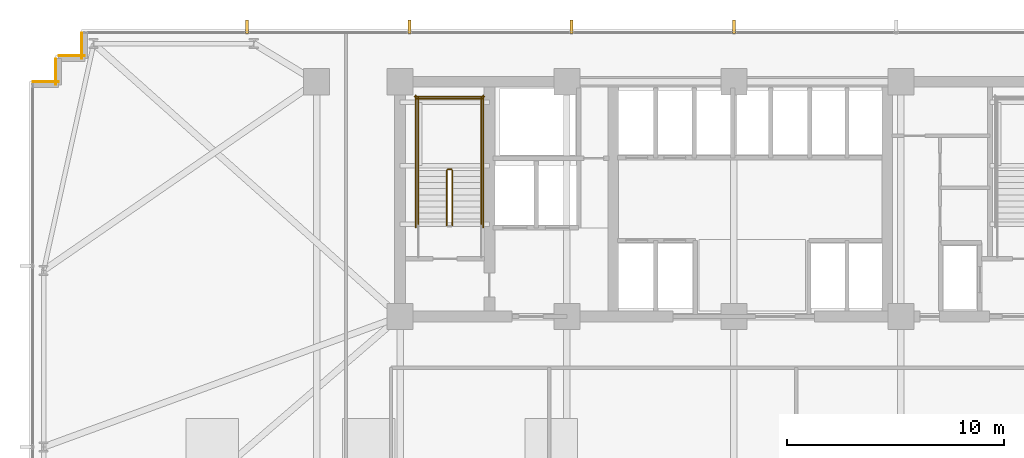
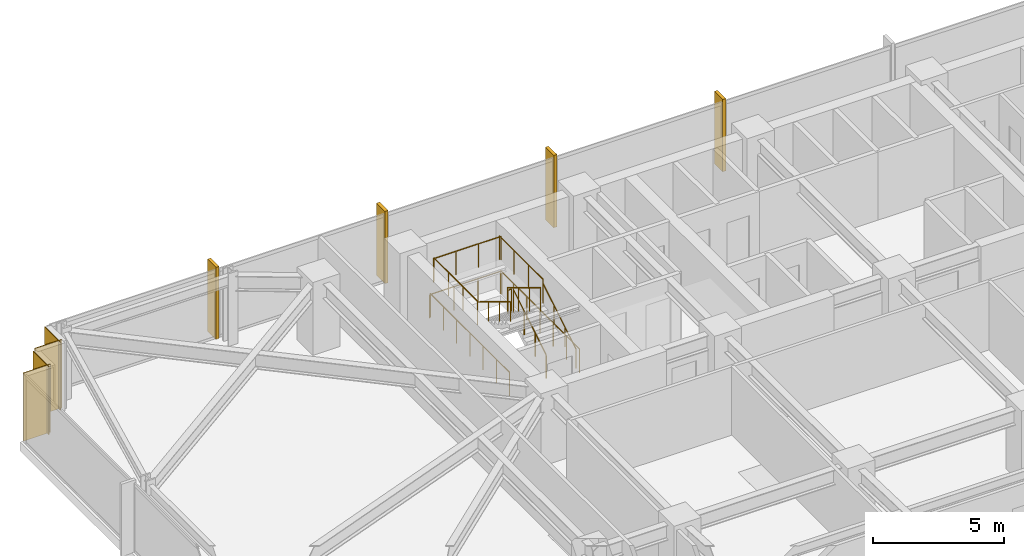
# One storey, part 29 of 31: 11 railings, 4 coverings, 4 shading devices.
"""IFC4 building model written with IfcOpenShell, lengths in metres."""

from ifc_helpers import new_model, si_unit, direction, frame, frame_2d, origin, origin_2d, place, context, subcontext, project, spatial, rectangle, circle, extrude, material, layer, layer_set, type_object, element, save


model = new_model("IFC4")

# Units and contexts
model_context = context("Model", 3, precision=1e-05, world=origin(), true_north=direction((0.0, 1.0)))
body_context = subcontext(model_context, "Body", "Model", "MODEL_VIEW")
ifc_project = project(units=[si_unit("LENGTHUNIT", "METRE"), si_unit("AREAUNIT", "SQUARE_METRE"), si_unit("VOLUMEUNIT", "CUBIC_METRE"), si_unit("PLANEANGLEUNIT", "RADIAN"), si_unit("MASSUNIT", "GRAM", prefix="KILO")], contexts=[model_context])

# Site, building, storey
site_placement = place(None, origin())
site = spatial("IfcSite", under=ifc_project, at=site_placement, CompositionType="ELEMENT")
building_placement = place(site_placement, origin())
building = spatial("IfcBuilding", under=site, at=building_placement, Name="Yelkora Congress Tower", CompositionType="ELEMENT")
storey_placement = place(building_placement, frame((0.0, 0.0, 30.39990234375)))
storey = spatial("IfcBuildingStorey", under=building, at=storey_placement, Name="L06", CompositionType="ELEMENT", Elevation=30.39990234375)

# Coverings
ifc_material_1 = material(Name="Anatolian bush-hammered limestone", Category="masonry")
ifc_layer_1 = layer(ifc_material_1, 0.0400390625)
ifc_layer_set_1 = layer_set([ifc_layer_1], Name="Anatolian bush-hammered limestone")
covering_type = type_object("IfcCoveringType", Name="COV-CLAD-SPANDREL-40", PredefinedType="CLADDING", material=ifc_layer_set_1)
covering_placement = place(storey_placement, frame((6.139892578125, 46.195068359375, 0.0), z_axis=(0.0, 0.0, 1.0), x_axis=(1.0, 0.0, 0.0)))
element("IfcCovering", 1, at=covering_placement, inside=storey, type_object=covering_type, Name="L06 Anatolian Limestone Cladding EW-L06-SR06", PredefinedType="CLADDING", context=body_context, shape_type="SweptSolid", body=[
    extrude(rectangle(XDim=1.2001953125, YDim=0.0400390625, at=frame_2d((0.60009765625, 0.0))), origin(), (0.0, 0.0, 1.0), 3.18017578125),
])
for number, where, z_axis, x_axis, name in (
    (2, (7.205078125, 46.06005859375, 0.0), (0.0, 0.0, 1.0), (0.0, 1.0, 0.0), "L06 Anatolian Limestone Cladding EW-L06-SR07"),
    (3, (7.340087890625, 47.39501953125, 0.0), (0.0, 0.0, 1.0), (1.0, 0.0, 0.0), "L06 Anatolian Limestone Cladding EW-L06-SR08"),
    (4, (8.405029296875, 47.260009765625, 0.0), (0.0, 0.0, 1.0), (0.0, 1.0, 0.0), "L06 Anatolian Limestone Cladding EW-L06-SR09"),
):
    element("IfcCovering", number, at=place(storey_placement, frame(where, z_axis=z_axis, x_axis=x_axis)), inside=storey, type_object=covering_type, Name=name, PredefinedType="CLADDING", context=body_context, shape_type="SweptSolid", body=[
        extrude(rectangle(XDim=1.199951171875, YDim=0.0400390625, at=frame_2d((0.60009765625, 0.0))), origin(), (0.0, 0.0, 1.0), 3.18017578125),
    ])

# Railings
ifc_material_2 = material(Name="Painted galvanised steel stair well guard with vertical infill", Category="steel")
ifc_layer_2 = layer(ifc_material_2, 0.06005859375)
ifc_layer_set_2 = layer_set([ifc_layer_2], Name="Painted galvanised steel stair well guard with vertical infill")
railing_type_1 = type_object("IfcRailingType", Name="RAIL-STAIR-GUARD-1120", PredefinedType="GUARDRAIL", material=ifc_layer_set_2)
railing_1_placement = place(storey_placement, frame((25.449951171875, 39.60009765625, 0.170166015625)))
element("IfcRailing", 5, at=railing_1_placement, inside=storey, type_object=railing_type_1, Name="ST-01 L06 Stair Well Guardrail 1", PredefinedType="GUARDRAIL", context=body_context, shape_type="SweptSolid", body=[
    extrude(circle(Radius=0.02392578125, at=origin_2d()), frame((0.0, 0.0, 1.09619140625), z_axis=(0.0, 0.85478489116, 0.518982456201), x_axis=(-1.0, 0.0, 0.0)), (0.0, 0.0, 1.0), 2.9482421875),
    extrude(circle(Radius=0.02099609375, at=origin_2d()), origin(), (0.0, 0.0, 1.0), 1.072021484375),
    extrude(circle(Radius=0.02099609375, at=origin_2d()), frame((0.0, 0.840087890625, 0.510009765625)), (0.0, 0.0, 1.0), 1.072021484375),
    extrude(circle(Radius=0.02099609375, at=origin_2d()), frame((0.0, 1.679931640625, 1.02001953125)), (0.0, 0.0, 1.0), 1.072021484375),
    extrude(circle(Radius=0.02099609375, at=origin_2d()), frame((0.0, 2.52001953125, 1.530029296875)), (0.0, 0.0, 1.0), 1.072021484375),
])
railing_2_placement = place(storey_placement, frame((25.39990234375, 42.169921875, 1.7001953125)))
element("IfcRailing", 6, at=railing_2_placement, inside=storey, type_object=railing_type_1, Name="ST-01 L06 Stair Well Guardrail 2", PredefinedType="GUARDRAIL", context=body_context, shape_type="SweptSolid", body=[
    extrude(circle(Radius=0.02392578125, at=origin_2d()), frame((0.0, 0.0, 1.09619140625), z_axis=(-1.0, 0.0, 0.0), x_axis=(0.0, -1.0, 0.0)), (0.0, 0.0, 1.0), 0.159912109375),
    extrude(circle(Radius=0.02099609375, at=origin_2d()), origin(), (0.0, 0.0, 1.0), 1.072021484375),
    extrude(circle(Radius=0.02099609375, at=origin_2d()), frame((-0.159912109375, 0.0, 0.0)), (0.0, 0.0, 1.0), 1.072021484375),
])
for number, where, name in (
    (7, (26.77001953125, 42.1201171875, 1.7001953125), "ST-01 L06 Stair Well Guardrail 3"),
    (8, (23.8701171875, 42.1201171875, 1.7001953125), "ST-01 L06 Stair Well Guardrail 4"),
):
    element("IfcRailing", number, at=place(storey_placement, frame(where)), inside=storey, type_object=railing_type_1, Name=name, PredefinedType="GUARDRAIL", context=body_context, shape_type="SweptSolid", body=[
        extrude(circle(Radius=0.02392578125, at=origin_2d()), frame((0.0, 0.0, 1.09619140625), z_axis=(0.0, 1.0, 0.0), x_axis=(-1.0, 0.0, 0.0)), (0.0, 0.0, 1.0), 3.349853515625),
        extrude(circle(Radius=0.02099609375, at=origin_2d()), origin(), (0.0, 0.0, 1.0), 1.072021484375),
        extrude(circle(Radius=0.02099609375, at=origin_2d()), frame((0.0, 1.11669921875, 0.0)), (0.0, 0.0, 1.0), 1.072021484375),
        extrude(circle(Radius=0.02099609375, at=origin_2d()), frame((0.0, 2.233154296875, 0.0)), (0.0, 0.0, 1.0), 1.072021484375),
        extrude(circle(Radius=0.02099609375, at=origin_2d()), frame((0.0, 3.349853515625, 0.0)), (0.0, 0.0, 1.0), 1.072021484375),
    ])
railing_3_placement = place(storey_placement, frame((26.820068359375, 45.419921875, 1.7001953125)))
element("IfcRailing", 9, at=railing_3_placement, inside=storey, type_object=railing_type_1, Name="ST-01 L06 Stair Well Guardrail 5", PredefinedType="GUARDRAIL", context=body_context, shape_type="SweptSolid", body=[
    extrude(circle(Radius=0.02392578125, at=origin_2d()), frame((0.0, 0.0, 1.09619140625), z_axis=(-1.0, 0.0, 0.0), x_axis=(0.0, -1.0, 0.0)), (0.0, 0.0, 1.0), 3.0),
    extrude(circle(Radius=0.02099609375, at=origin_2d()), origin(), (0.0, 0.0, 1.0), 1.072021484375),
    extrude(circle(Radius=0.02099609375, at=origin_2d()), frame((-1.0, 0.0, 0.0)), (0.0, 0.0, 1.0), 1.072021484375),
    extrude(circle(Radius=0.02099609375, at=origin_2d()), frame((-2.0, 0.0, 0.0)), (0.0, 0.0, 1.0), 1.072021484375),
    extrude(circle(Radius=0.02099609375, at=origin_2d()), frame((-3.0, 0.0, 0.0)), (0.0, 0.0, 1.0), 1.072021484375),
])
railing_4_placement = place(storey_placement, frame((25.18994140625, 42.1201171875, 1.8701171875)))
element("IfcRailing", 10, at=railing_4_placement, inside=storey, type_object=railing_type_1, Name="ST-01 L06 Stair Well Guardrail 6", PredefinedType="GUARDRAIL", context=body_context, shape_type="SweptSolid", body=[
    extrude(circle(Radius=0.02392578125, at=origin_2d()), frame((0.0, 0.0, 1.09619140625), z_axis=(0.0, -0.85478489116, 0.518982456201), x_axis=(1.0, 0.0, 0.0)), (0.0, 0.0, 1.0), 2.9482421875),
    extrude(circle(Radius=0.02099609375, at=origin_2d()), origin(), (0.0, 0.0, 1.0), 1.072021484375),
    extrude(circle(Radius=0.02099609375, at=origin_2d()), frame((0.0, -0.840087890625, 0.510009765625)), (0.0, 0.0, 1.0), 1.072021484375),
    extrude(circle(Radius=0.02099609375, at=origin_2d()), frame((0.0, -1.679931640625, 1.02001953125)), (0.0, 0.0, 1.0), 1.072021484375),
    extrude(circle(Radius=0.02099609375, at=origin_2d()), frame((0.0, -2.52001953125, 1.530029296875)), (0.0, 0.0, 1.0), 1.072021484375),
])
for number, where, name in (
    (11, (26.8701171875, 39.5, 0.0), "ST-01 L06 Stair Well Guardrail 10"),
    (12, (23.77001953125, 39.5, 0.0), "ST-01 L06 Stair Well Guardrail 11"),
):
    element("IfcRailing", number, at=place(storey_placement, frame(where)), inside=storey, type_object=railing_type_1, Name=name, PredefinedType="GUARDRAIL", context=body_context, shape_type="SweptSolid", body=[
        extrude(circle(Radius=0.02392578125, at=origin_2d()), frame((0.0, 0.0, 1.09619140625), z_axis=(0.0, 1.0, 0.0), x_axis=(-1.0, 0.0, 0.0)), (0.0, 0.0, 1.0), 6.070068359375),
        extrude(circle(Radius=0.02099609375, at=origin_2d()), origin(), (0.0, 0.0, 1.0), 1.072021484375),
        extrude(circle(Radius=0.02099609375, at=origin_2d()), frame((0.0, 1.01171875, 0.0)), (0.0, 0.0, 1.0), 1.072021484375),
        extrude(circle(Radius=0.02099609375, at=origin_2d()), frame((0.0, 2.0234375, 0.0)), (0.0, 0.0, 1.0), 1.072021484375),
        extrude(circle(Radius=0.02099609375, at=origin_2d()), frame((0.0, 3.03515625, 0.0)), (0.0, 0.0, 1.0), 1.072021484375),
        extrude(circle(Radius=0.02099609375, at=origin_2d()), frame((0.0, 4.046630859375, 0.0)), (0.0, 0.0, 1.0), 1.072021484375),
        extrude(circle(Radius=0.02099609375, at=origin_2d()), frame((0.0, 5.058349609375, 0.0)), (0.0, 0.0, 1.0), 1.072021484375),
        extrude(circle(Radius=0.02099609375, at=origin_2d()), frame((0.0, 6.070068359375, 0.0)), (0.0, 0.0, 1.0), 1.072021484375),
    ])
railing_5_placement = place(storey_placement, frame((26.919921875, 45.52001953125, 0.0)))
element("IfcRailing", 13, at=railing_5_placement, inside=storey, type_object=railing_type_1, Name="ST-01 L06 Stair Well Guardrail 12", PredefinedType="GUARDRAIL", context=body_context, shape_type="SweptSolid", body=[
    extrude(circle(Radius=0.02392578125, at=origin_2d()), frame((0.0, 0.0, 1.09619140625), z_axis=(-1.0, 0.0, 0.0), x_axis=(0.0, -1.0, 0.0)), (0.0, 0.0, 1.0), 3.199951171875),
    extrude(circle(Radius=0.02099609375, at=origin_2d()), origin(), (0.0, 0.0, 1.0), 1.072021484375),
    extrude(circle(Radius=0.02099609375, at=origin_2d()), frame((-1.066650390625, 0.0, 0.0)), (0.0, 0.0, 1.0), 1.072021484375),
    extrude(circle(Radius=0.02099609375, at=origin_2d()), frame((-2.13330078125, 0.0, 0.0)), (0.0, 0.0, 1.0), 1.072021484375),
    extrude(circle(Radius=0.02099609375, at=origin_2d()), frame((-3.199951171875, 0.0, 0.0)), (0.0, 0.0, 1.0), 1.072021484375),
])
ifc_material_3 = material(Name="Brushed stainless steel tubular handrail", Category="steel")
ifc_layer_3 = layer(ifc_material_3, 0.050048828125)
ifc_layer_set_3 = layer_set([ifc_layer_3], Name="Brushed stainless steel tubular handrail")
railing_type_2 = type_object("IfcRailingType", Name="RAIL-STAIR-HAND-920", PredefinedType="HANDRAIL", material=ifc_layer_set_3)
railing_6_placement = place(storey_placement, frame((26.77001953125, 39.60009765625, 0.170166015625)))
element("IfcRailing", 14, at=railing_6_placement, inside=storey, type_object=railing_type_2, Name="ST-01 L06 Pitch Handrail 1", PredefinedType="HANDRAIL", context=body_context, shape_type="SweptSolid", body=[
    extrude(circle(Radius=0.02392578125, at=origin_2d()), frame((0.0, 0.0, 0.89599609375), z_axis=(0.0, 0.85478489116, 0.518982456201), x_axis=(-1.0, 0.0, 0.0)), (0.0, 0.0, 1.0), 2.9482421875),
    extrude(circle(Radius=0.02099609375, at=origin_2d()), origin(), (0.0, 0.0, 1.0), 0.871826171875),
    extrude(circle(Radius=0.02099609375, at=origin_2d()), frame((0.0, 0.840087890625, 0.510009765625)), (0.0, 0.0, 1.0), 0.871826171875),
    extrude(circle(Radius=0.02099609375, at=origin_2d()), frame((0.0, 1.679931640625, 1.02001953125)), (0.0, 0.0, 1.0), 0.871826171875),
    extrude(circle(Radius=0.02099609375, at=origin_2d()), frame((0.0, 2.52001953125, 1.530029296875)), (0.0, 0.0, 1.0), 0.871826171875),
])
railing_7_placement = place(storey_placement, frame((23.8701171875, 42.1201171875, 1.8701171875)))
element("IfcRailing", 15, at=railing_7_placement, inside=storey, type_object=railing_type_2, Name="ST-01 L06 Pitch Handrail 2", PredefinedType="HANDRAIL", context=body_context, shape_type="SweptSolid", body=[
    extrude(circle(Radius=0.02392578125, at=origin_2d()), frame((0.0, 0.0, 0.89599609375), z_axis=(0.0, -0.85478489116, 0.518982456201), x_axis=(1.0, 0.0, 0.0)), (0.0, 0.0, 1.0), 2.9482421875),
    extrude(circle(Radius=0.02099609375, at=origin_2d()), origin(), (0.0, 0.0, 1.0), 0.871826171875),
    extrude(circle(Radius=0.02099609375, at=origin_2d()), frame((0.0, -0.840087890625, 0.510009765625)), (0.0, 0.0, 1.0), 0.871826171875),
    extrude(circle(Radius=0.02099609375, at=origin_2d()), frame((0.0, -1.679931640625, 1.02001953125)), (0.0, 0.0, 1.0), 0.871826171875),
    extrude(circle(Radius=0.02099609375, at=origin_2d()), frame((0.0, -2.52001953125, 1.530029296875)), (0.0, 0.0, 1.0), 0.871826171875),
])

# Shading devices
ifc_material_4 = material(Name="Champagne anodised aluminium", Category="aluminium")
ifc_layer_4 = layer(ifc_material_4, 3.39990234375)
ifc_layer_set_4 = layer_set([ifc_layer_4], Name="Champagne anodised aluminium")
shading_device_type = type_object("IfcShadingDeviceType", Name="SHD-FIN-ALU-640", PredefinedType="USERDEFINED", material=ifc_layer_set_4)
for number, where, z_axis, x_axis, name in (
    (16, (16.0048828125, 48.719970703125, -0.02978515625), (0.0, 0.0, 1.0), (1.0, 0.0, 0.0), "L06 Vertical Anodised Solar Fin 10-1"),
    (17, (23.469970703125, 48.719970703125, -0.02978515625), (0.0, 0.0, 1.0), (1.0, 0.0, 0.0), "L06 Vertical Anodised Solar Fin 10-2"),
    (18, (30.93505859375, 48.719970703125, -0.02978515625), (0.0, 0.0, 1.0), (1.0, 0.0, 0.0), "L06 Vertical Anodised Solar Fin 10-3"),
    (19, (38.39990234375, 48.719970703125, -0.02978515625), (0.0, 0.0, 1.0), (1.0, 0.0, 0.0), "L06 Vertical Anodised Solar Fin 10-4"),
):
    element("IfcShadingDevice", number, at=place(storey_placement, frame(where, z_axis=z_axis, x_axis=x_axis)), inside=storey, type_object=shading_device_type, Name=name, ObjectType="FIN", PredefinedType="USERDEFINED", context=body_context, shape_type="SweptSolid", body=[
        extrude(rectangle(XDim=0.139892578125, YDim=0.639892578125, at=origin_2d()), origin(), (0.0, 0.0, 1.0), 3.3798828125),
    ])

save(model, "model.ifc")
